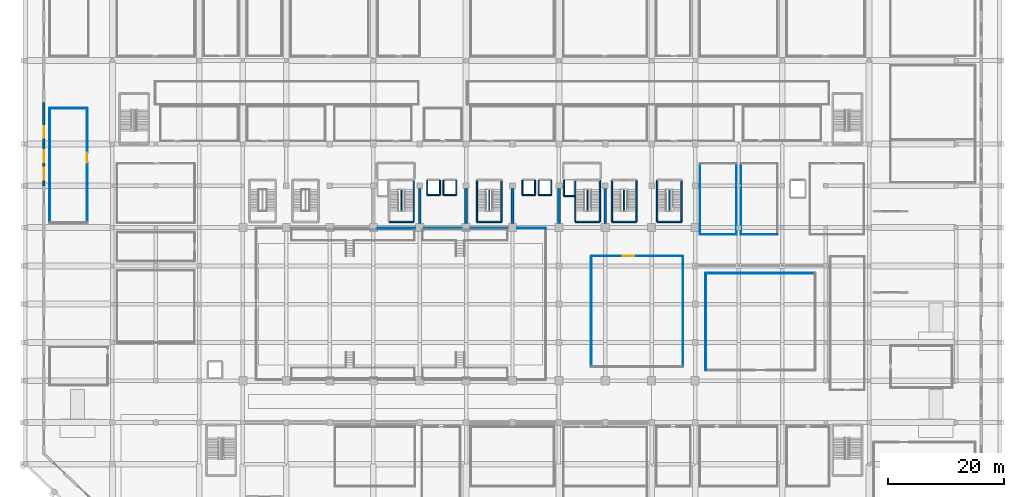
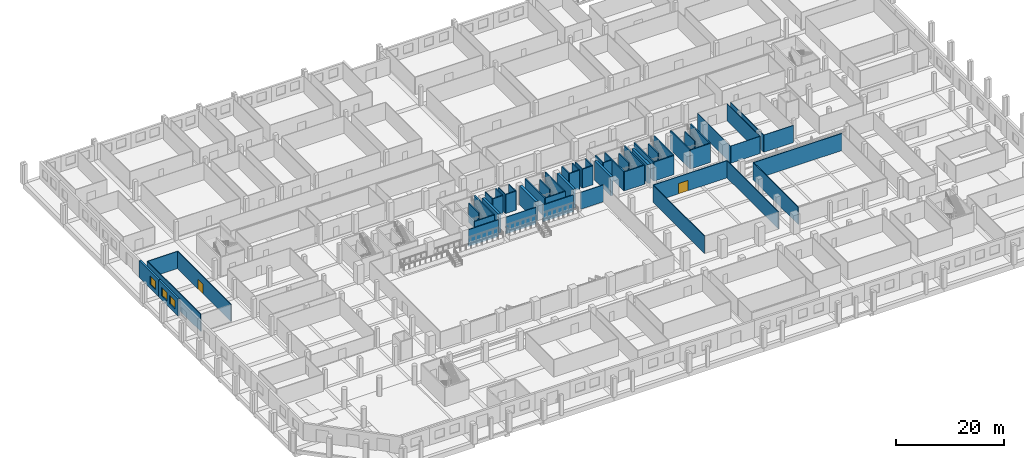
# One storey, part 15 of 33: 57 walls, 3 windows, 2 doors, 5 openings.
"""IFC4 building model written with IfcOpenShell, lengths in metres."""

from ifc_helpers import new_model, si_unit, direction, frame, frame_2d, origin, place, context, subcontext, project, spatial, rectangle, extrude, material, layer, layer_set, type_object, element, fill, save


model = new_model("IFC4")

# Units and contexts
model_context = context("Model", 3, precision=1e-05, world=origin(), true_north=direction((0.0, 1.0)))
body_context = subcontext(model_context, "Body", "Model", "MODEL_VIEW")
ifc_project = project(units=[si_unit("LENGTHUNIT", "METRE"), si_unit("AREAUNIT", "SQUARE_METRE"), si_unit("VOLUMEUNIT", "CUBIC_METRE"), si_unit("PLANEANGLEUNIT", "RADIAN"), si_unit("MASSUNIT", "GRAM", prefix="KILO")], contexts=[model_context])

# Site, building, storey
site_placement = place(None, origin())
site = spatial("IfcSite", under=ifc_project, at=site_placement, CompositionType="ELEMENT")
building_placement = place(site_placement, origin())
building = spatial("IfcBuilding", under=site, at=building_placement, Name="Akrevak Sports Hall", CompositionType="ELEMENT")
storey_placement = place(building_placement, origin())
storey = spatial("IfcBuildingStorey", under=building, at=storey_placement, Name="L00", CompositionType="ELEMENT", Elevation=0.0)

# Wall, openings, windows
ifc_material_1 = material(Name="Limestone Ashlar", Category="stone")
ifc_layer_1 = layer(ifc_material_1, 0.090087890625, Name="Limestone Ashlar")
ifc_material_2 = material(Name="Mineral Wool Thermal Insulation", Category="insulation")
ifc_layer_2 = layer(ifc_material_2, 0.110107421875, Name="Mineral Wool Thermal Insulation")
ifc_material_3 = material(Name="Concrete C40/50", Category="concrete")
ifc_layer_3 = layer(ifc_material_3, 0.219970703125, Name="Concrete C40/50")
ifc_layer_set_1 = layer_set([ifc_layer_1, ifc_layer_2, ifc_layer_3], Name="Limestone Ashlar / Mineral Wool Thermal Insulation / Concrete C40/50")
wall_type_1 = type_object("IfcWallType", Name="ARC-WL-EXT-420", PredefinedType="SOLIDWALL", material=ifc_layer_set_1)
wall_1_placement = place(storey_placement, frame((3.199951171875, 69.60009765625, 0.0), z_axis=(0.0, 0.0, 1.0), x_axis=(0.0, -1.0, 0.0)))
wall_1 = element("IfcWall", 1, at=wall_1_placement, inside=storey, type_object=wall_type_1, Name="West Boulevard Arcade Limestone Wall L00-W08", PredefinedType="SOLIDWALL", context=body_context, shape_type="SweptSolid", body=[
    extrude(rectangle(XDim=7.2001953125, YDim=0.419921875, at=frame_2d((3.60009765625, 0.0))), origin(), (0.0, 0.0, 1.0), 3.820068359375),
])
opening_1_placement = place(wall_1_placement, frame((4.112060546875, 0.0, 0.919921875)))
opening_1 = element("IfcOpeningElement", 2, at=opening_1_placement, cuts=wall_1, Name="Opening WN-28", PredefinedType="OPENING", context=body_context, shape_type="SweptSolid", body=[
    extrude(rectangle(XDim=2.0, YDim=1.889892578125, at=frame_2d((1.0, 0.94482421875))), frame((0.0, 0.221923828125, 0.0), z_axis=(0.0, -1.0, 0.0), x_axis=(1.0, 0.0, 0.0)), (0.0, 0.0, 1.0), 0.44384765625),
])
opening_2_placement = place(wall_1_placement, frame((1.087890625, 0.0, 0.919921875)))
opening_2 = element("IfcOpeningElement", 3, at=opening_2_placement, cuts=wall_1, Name="Opening WN-28", PredefinedType="OPENING", context=body_context, shape_type="SweptSolid", body=[
    extrude(rectangle(XDim=2.0, YDim=1.889892578125, at=frame_2d((1.0, 0.94482421875))), frame((0.0, 0.221923828125, 0.0), z_axis=(0.0, -1.0, 0.0), x_axis=(1.0, 0.0, 0.0)), (0.0, 0.0, 1.0), 0.44384765625),
])
ifc_material_4 = material(Name="Thermally Broken Bronze Frame & Double Low-E Glass", Category="glass")
window_type = type_object("IfcWindowType", Name="ARC-WIN-SZ-2000x1890", PartitioningType="SINGLE_PANEL", PredefinedType="WINDOW", material=ifc_material_4)
window_1_placement = place(opening_1_placement, origin())
window_1 = element("IfcWindow", 4, at=window_1_placement, inside=storey, type_object=window_type, Name="Beaux-Arts Facade Window WIN-L00-W08-1", OverallHeight=1.889892578125, OverallWidth=2.0, PartitioningType="SINGLE_PANEL", PredefinedType="WINDOW", context=body_context, shape_type="SweptSolid", body=[
    extrude(rectangle(XDim=2.0, YDim=1.889892578125, at=frame_2d((1.0, 0.94482421875))), frame((0.0, 0.030029296875, 0.0), z_axis=(0.0, -1.0, 0.0), x_axis=(1.0, 0.0, 0.0)), (0.0, 0.0, 1.0), 0.06005859375),
])
fill(opening_1, window_1)
window_2_placement = place(opening_2_placement, origin())
window_2 = element("IfcWindow", 5, at=window_2_placement, inside=storey, type_object=window_type, Name="Beaux-Arts Facade Window WIN-L00-W08-2", OverallHeight=1.889892578125, OverallWidth=2.0, PartitioningType="SINGLE_PANEL", PredefinedType="WINDOW", context=body_context, shape_type="SweptSolid", body=[
    extrude(rectangle(XDim=2.0, YDim=1.889892578125, at=frame_2d((1.0, 0.94482421875))), frame((0.0, 0.030029296875, 0.0), z_axis=(0.0, -1.0, 0.0), x_axis=(1.0, 0.0, 0.0)), (0.0, 0.0, 1.0), 0.06005859375),
])
fill(opening_2, window_2)

# Wall, opening, window
wall_2_placement = place(storey_placement, frame((3.199951171875, 76.800048828125, 0.0), z_axis=(0.0, 0.0, 1.0), x_axis=(0.0, -1.0, 0.0)))
wall_2 = element("IfcWall", 6, at=wall_2_placement, inside=storey, type_object=wall_type_1, Name="West Boulevard Arcade Limestone Wall L00-W09", PredefinedType="SOLIDWALL", context=body_context, shape_type="SweptSolid", body=[
    extrude(rectangle(XDim=7.199951171875, YDim=0.419921875, at=frame_2d((3.60009765625, 0.0))), origin(), (0.0, 0.0, 1.0), 3.820068359375),
])
opening_3_placement = place(wall_2_placement, frame((4.112060546875, 0.0, 0.919921875)))
opening_3 = element("IfcOpeningElement", 7, at=opening_3_placement, cuts=wall_2, Name="Opening WN-28", PredefinedType="OPENING", context=body_context, shape_type="SweptSolid", body=[
    extrude(rectangle(XDim=2.0, YDim=1.889892578125, at=frame_2d((1.0, 0.94482421875))), frame((0.0, 0.221923828125, 0.0), z_axis=(0.0, -1.0, 0.0), x_axis=(1.0, 0.0, 0.0)), (0.0, 0.0, 1.0), 0.44384765625),
])
window_3_placement = place(opening_3_placement, origin())
window_3 = element("IfcWindow", 8, at=window_3_placement, inside=storey, type_object=window_type, Name="Beaux-Arts Facade Window WIN-L00-W09-1", OverallHeight=1.889892578125, OverallWidth=2.0, PartitioningType="SINGLE_PANEL", PredefinedType="WINDOW", context=body_context, shape_type="SweptSolid", body=[
    extrude(rectangle(XDim=2.0, YDim=1.889892578125, at=frame_2d((1.0, 0.94482421875))), frame((0.0, 0.030029296875, 0.0), z_axis=(0.0, -1.0, 0.0), x_axis=(1.0, 0.0, 0.0)), (0.0, 0.0, 1.0), 0.06005859375),
])
fill(opening_3, window_3)

# Walls
ifc_material_5 = material(Name="Sanitary Cubicle Partition", Category="gypsum")
ifc_layer_4 = layer(ifc_material_5, 0.10009765625, Name="Sanitary Cubicle Partition")
ifc_layer_set_2 = layer_set([ifc_layer_4], Name="Sanitary Cubicle Partition")
wall_type_2 = type_object("IfcWallType", Name="ARC-WL-PRT-100", PredefinedType="PARTITIONING", material=ifc_layer_set_2)
wall_3_placement = place(storey_placement, frame((116.300048828125, 54.0, 0.0), z_axis=(0.0, 0.0, 1.0), x_axis=(1.0, 0.0, 0.0)))
element("IfcWall", 9, at=wall_3_placement, inside=storey, type_object=wall_type_2, Name="Interior Partition Handball Gear Storage L00 (S)", PredefinedType="PARTITIONING", context=body_context, shape_type="SweptSolid", body=[
    extrude(rectangle(XDim=6.300048828125, YDim=0.10009765625, at=frame_2d((3.14990234375, 0.0))), origin(), (0.0, 0.0, 1.0), 3.8798828125),
])
for number, where, z_axis, x_axis, name in (
    (10, (116.300048828125, 54.0, 0.0), (0.0, 0.0, 1.0), (0.0, 1.0, 0.0), "Interior Partition Handball Gear Storage L00 (W)"),
    (11, (122.60009765625, 54.0, 0.0), (0.0, 0.0, 1.0), (0.0, 1.0, 0.0), "Interior Partition Handball Gear Storage L00 (E)"),
):
    element("IfcWall", number, at=place(storey_placement, frame(where, z_axis=z_axis, x_axis=x_axis)), inside=storey, type_object=wall_type_2, Name=name, PredefinedType="PARTITIONING", context=body_context, shape_type="SweptSolid", body=[
        extrude(rectangle(XDim=12.25, YDim=0.10009765625, at=frame_2d((6.125, 0.0))), origin(), (0.0, 0.0, 1.0), 3.8798828125),
    ])
ifc_material_6 = material(Name="Lightweight Office Partition", Category="gypsum")
ifc_layer_5 = layer(ifc_material_6, 0.110107421875, Name="Lightweight Office Partition")
ifc_layer_set_3 = layer_set([ifc_layer_5], Name="Lightweight Office Partition")
wall_type_3 = type_object("IfcWallType", Name="ARC-WL-PRT-110", PredefinedType="PARTITIONING", material=ifc_layer_set_3)
wall_4_placement = place(storey_placement, frame((123.39990234375, 54.0, 0.0), z_axis=(0.0, 0.0, 1.0), x_axis=(1.0, 0.0, 0.0)))
element("IfcWall", 12, at=wall_4_placement, inside=storey, type_object=wall_type_3, Name="Interior Partition Climbing Rigging & Mat Storage L00 (S)", PredefinedType="PARTITIONING", context=body_context, shape_type="SweptSolid", body=[
    extrude(rectangle(XDim=6.300048828125, YDim=0.110107421875, at=frame_2d((3.14990234375, 0.0))), origin(), (0.0, 0.0, 1.0), 3.8798828125),
])
wall_5_placement = place(storey_placement, frame((123.39990234375, 54.0, 0.0), z_axis=(0.0, 0.0, 1.0), x_axis=(0.0, 1.0, 0.0)))
element("IfcWall", 13, at=wall_5_placement, inside=storey, type_object=wall_type_3, Name="Interior Partition Climbing Rigging & Mat Storage L00 (W)", PredefinedType="PARTITIONING", context=body_context, shape_type="SweptSolid", body=[
    extrude(rectangle(XDim=12.25, YDim=0.110107421875, at=frame_2d((6.125, 0.0))), origin(), (0.0, 0.0, 1.0), 3.8798828125),
])
ifc_material_7 = material(Name="Double Stud Fireboard Partition", Category="gypsum")
ifc_layer_6 = layer(ifc_material_7, 0.1650390625, Name="Double Stud Fireboard Partition")
ifc_layer_set_4 = layer_set([ifc_layer_6], Name="Double Stud Fireboard Partition")
wall_type_4 = type_object("IfcWallType", Name="ARC-WL-PRT-165", PredefinedType="PARTITIONING", material=ifc_layer_set_4)
for number, where, z_axis, x_axis, name in (
    (14, (60.780029296875, 55.050048828125, 0.0), (0.0, 0.0, 1.0), (1.0, 0.0, 0.0), "Interior Partition Sports Hall 1 - Handball Court (N) Segment 4"),
    (15, (68.780029296875, 55.050048828125, 0.0), (0.0, 0.0, 1.0), (1.0, 0.0, 0.0), "Interior Partition Sports Hall 1 - Handball Court (N) Segment 5"),
    (16, (76.780029296875, 55.050048828125, 0.0), (0.0, 0.0, 1.0), (1.0, 0.0, 0.0), "Interior Partition Sports Hall 1 - Handball Court (N) Segment 6"),
):
    element("IfcWall", number, at=place(storey_placement, frame(where, z_axis=z_axis, x_axis=x_axis)), inside=storey, type_object=wall_type_4, Name=name, PredefinedType="PARTITIONING", context=body_context, shape_type="SweptSolid", body=[
        extrude(rectangle(XDim=6.43994140625, YDim=0.1650390625, at=frame_2d((3.219970703125, 0.0))), origin(), (0.0, 0.0, 1.0), 3.800048828125),
    ])
wall_6_placement = place(storey_placement, frame((84.780029296875, 55.050048828125, 0.0), z_axis=(0.0, 0.0, 1.0), x_axis=(1.0, 0.0, 0.0)))
element("IfcWall", 17, at=wall_6_placement, inside=storey, type_object=wall_type_4, Name="Interior Partition Sports Hall 1 - Handball Court (N) Segment 7", PredefinedType="PARTITIONING", context=body_context, shape_type="SweptSolid", body=[
    extrude(rectangle(XDim=4.919921875, YDim=0.1650390625, at=frame_2d((2.4599609375, 0.0))), origin(), (0.0, 0.0, 1.0), 3.800048828125),
])
wall_7_placement = place(storey_placement, frame((117.300048828125, 47.300048828125, 0.0), z_axis=(0.0, 0.0, 1.0), x_axis=(1.0, 0.0, 0.0)))
element("IfcWall", 18, at=wall_7_placement, inside=storey, type_object=wall_type_4, Name="Interior Partition Climbing Wall Hall (N)", PredefinedType="PARTITIONING", context=body_context, shape_type="SweptSolid", body=[
    extrude(rectangle(XDim=18.89990234375, YDim=0.1650390625, at=frame_2d((9.449951171875, 0.0))), origin(), (0.0, 0.0, 1.0), 3.8798828125),
])
wall_8_placement = place(storey_placement, frame((117.300048828125, 30.60009765625, 0.0), z_axis=(0.0, 0.0, 1.0), x_axis=(0.0, 1.0, 0.0)))
element("IfcWall", 19, at=wall_8_placement, inside=storey, type_object=wall_type_4, Name="Interior Partition Climbing Wall Hall (W)", PredefinedType="PARTITIONING", context=body_context, shape_type="SweptSolid", body=[
    extrude(rectangle(XDim=16.699951171875, YDim=0.1650390625, at=frame_2d((8.35009765625, 0.0))), origin(), (0.0, 0.0, 1.0), 3.8798828125),
])

# Wall, opening, door
wall_9_placement = place(storey_placement, frame((97.60009765625, 50.300048828125, 0.0), z_axis=(0.0, 0.0, 1.0), x_axis=(1.0, 0.0, 0.0)))
wall_9 = element("IfcWall", 20, at=wall_9_placement, inside=storey, type_object=wall_type_4, Name="Interior Partition Climbing Bouldering Warm-Up Zone (N)", PredefinedType="PARTITIONING", context=body_context, shape_type="SweptSolid", body=[
    extrude(rectangle(XDim=15.7998046875, YDim=0.1650390625, at=frame_2d((7.89990234375, 0.0))), origin(), (0.0, 0.0, 1.0), 3.8798828125),
])
opening_4_placement = place(wall_9_placement, frame((5.39990234375, 0.0, 0.0)))
opening_4 = element("IfcOpeningElement", 21, at=opening_4_placement, cuts=wall_9, Name="Opening ID-01", PredefinedType="OPENING", context=body_context, shape_type="SweptSolid", body=[
    extrude(rectangle(XDim=2.0, YDim=2.35009765625, at=frame_2d((1.0, 1.175048828125))), frame((0.0, 0.094482421875, 0.0), z_axis=(0.0, -1.0, 0.0), x_axis=(1.0, 0.0, 0.0)), (0.0, 0.0, 1.0), 0.18896484375),
])
ifc_material_8 = material(Name="Hardwood Oak & Safety Glass", Category="wood")
door_type_1 = type_object("IfcDoorType", Name="ARC-DR-HALL-200x235", OperationType="DOUBLE_DOOR_SINGLE_SWING", PredefinedType="DOOR", material=ifc_material_8)
door_1_placement = place(opening_4_placement, origin())
door_1 = element("IfcDoor", 22, at=door_1_placement, inside=storey, type_object=door_type_1, Name="Door to Climbing Bouldering Warm-Up Zone", OperationType="DOUBLE_DOOR_SINGLE_SWING", OverallHeight=2.35009765625, OverallWidth=2.0, PredefinedType="DOOR", context=body_context, shape_type="SweptSolid", body=[
    extrude(rectangle(XDim=2.0, YDim=2.35009765625, at=frame_2d((1.0, 1.175048828125))), frame((0.0, 0.02490234375, 0.0), z_axis=(0.0, -1.0, 0.0), x_axis=(1.0, 0.0, 0.0)), (0.0, 0.0, 1.0), 0.050048828125),
])
fill(opening_4, door_1)

# Walls
for number, where, z_axis, x_axis, name in (
    (23, (97.60009765625, 31.199951171875, 0.0), (0.0, 0.0, 1.0), (0.0, 1.0, 0.0), "Interior Partition Climbing Bouldering Warm-Up Zone (W)"),
    (24, (113.39990234375, 31.199951171875, 0.0), (0.0, 0.0, 1.0), (0.0, 1.0, 0.0), "Interior Partition Climbing Bouldering Warm-Up Zone (E)"),
):
    element("IfcWall", number, at=place(storey_placement, frame(where, z_axis=z_axis, x_axis=x_axis)), inside=storey, type_object=wall_type_4, Name=name, PredefinedType="PARTITIONING", context=body_context, shape_type="SweptSolid", body=[
        extrude(rectangle(XDim=19.10009765625, YDim=0.1650390625, at=frame_2d((9.550048828125, 0.0))), origin(), (0.0, 0.0, 1.0), 3.8798828125),
    ])
wall_10_placement = place(storey_placement, frame((4.199951171875, 75.800048828125, 0.0), z_axis=(0.0, 0.0, 1.0), x_axis=(1.0, 0.0, 0.0)))
element("IfcWall", 25, at=wall_10_placement, inside=storey, type_object=wall_type_4, Name="Interior Partition West Boulevard Conditioning Studio L00 (N)", PredefinedType="PARTITIONING", context=body_context, shape_type="SweptSolid", body=[
    extrude(rectangle(XDim=6.449951171875, YDim=0.1650390625, at=frame_2d((3.22509765625, 0.0))), origin(), (0.0, 0.0, 1.0), 3.8798828125),
])
wall_11_placement = place(storey_placement, frame((4.199951171875, 56.0, 0.0), z_axis=(0.0, 0.0, 1.0), x_axis=(0.0, 1.0, 0.0)))
element("IfcWall", 26, at=wall_11_placement, inside=storey, type_object=wall_type_4, Name="Interior Partition West Boulevard Conditioning Studio L00 (W)", PredefinedType="PARTITIONING", context=body_context, shape_type="SweptSolid", body=[
    extrude(rectangle(XDim=19.800048828125, YDim=0.1650390625, at=frame_2d((9.89990234375, 0.0))), origin(), (0.0, 0.0, 1.0), 3.8798828125),
])

# Wall, opening, door
wall_12_placement = place(storey_placement, frame((10.64990234375, 56.0, 0.0), z_axis=(0.0, 0.0, 1.0), x_axis=(0.0, 1.0, 0.0)))
wall_12 = element("IfcWall", 27, at=wall_12_placement, inside=storey, type_object=wall_type_4, Name="Interior Partition West Boulevard Conditioning Studio L00 (E)", PredefinedType="PARTITIONING", context=body_context, shape_type="SweptSolid", body=[
    extrude(rectangle(XDim=19.800048828125, YDim=0.1650390625, at=frame_2d((9.89990234375, 0.0))), origin(), (0.0, 0.0, 1.0), 3.8798828125),
])
opening_5_placement = place(wall_12_placement, frame((10.35009765625, 0.0, 0.0)))
opening_5 = element("IfcOpeningElement", 28, at=opening_5_placement, cuts=wall_12, Name="Opening ID-02", PredefinedType="OPENING", context=body_context, shape_type="SweptSolid", body=[
    extrude(rectangle(XDim=1.800048828125, YDim=2.25, at=frame_2d((0.89990234375, 1.125))), frame((0.0, 0.094482421875, 0.0), z_axis=(0.0, -1.0, 0.0), x_axis=(1.0, 0.0, 0.0)), (0.0, 0.0, 1.0), 0.18896484375),
])
door_type_2 = type_object("IfcDoorType", Name="ARC-DR-HALL-180x225", OperationType="DOUBLE_DOOR_SINGLE_SWING", PredefinedType="DOOR", material=ifc_material_8)
door_2_placement = place(opening_5_placement, frame((1.800048828125, 0.0, 0.0), z_axis=(0.0, 0.0, 1.0), x_axis=(-1.0, 0.0, 0.0)))
door_2 = element("IfcDoor", 29, at=door_2_placement, inside=storey, type_object=door_type_2, Name="Door to West Boulevard Conditioning Studio L00", OperationType="DOUBLE_DOOR_SINGLE_SWING", OverallHeight=2.25, OverallWidth=1.800048828125, PredefinedType="DOOR", context=body_context, shape_type="SweptSolid", body=[
    extrude(rectangle(XDim=1.800048828125, YDim=2.25, at=frame_2d((0.89990234375, 1.125))), frame((0.0, 0.02490234375, 0.0), z_axis=(0.0, -1.0, 0.0), x_axis=(1.0, 0.0, 0.0)), (0.0, 0.0, 1.0), 0.050048828125),
])
fill(opening_5, door_2)

# Walls
ifc_layer_7 = layer(ifc_material_3, 0.219970703125, Name="Concrete C40/50")
ifc_layer_set_5 = layer_set([ifc_layer_7], Name="Concrete C40/50")
wall_type_5 = type_object("IfcWallType", Name="ARC-WL-PRT-220", PredefinedType="PARTITIONING", material=ifc_layer_set_5)
for number, where, z_axis, x_axis, name in (
    (30, (64.85009765625, 58.094970703125, 0.0), (0.0, 0.0, 1.0), (0.0, 1.0, 0.0), "Stair ST1 Central Spine Wall (L00)"),
    (31, (96.949951171875, 58.094970703125, 0.0), (0.0, 0.0, 1.0), (0.0, 1.0, 0.0), "Stair ST2 Central Spine Wall (L00)"),
    (32, (80.0, 58.094970703125, 0.0), (0.0, 0.0, 1.0), (0.0, 1.0, 0.0), "Stair ST3 Central Spine Wall (L00)"),
    (33, (103.25, 58.094970703125, 0.0), (0.0, 0.0, 1.0), (0.0, 1.0, 0.0), "Stair ST10 Central Spine Wall (L00)"),
    (34, (111.050048828125, 58.094970703125, 0.0), (0.0, 0.0, 1.0), (0.0, 1.0, 0.0), "Stair ST11 Central Spine Wall (L00)"),
):
    element("IfcWall", number, at=place(storey_placement, frame(where, z_axis=z_axis, x_axis=x_axis)), inside=storey, type_object=wall_type_5, Name=name, PredefinedType="PARTITIONING", context=body_context, shape_type="SweptSolid", body=[
        extrude(rectangle(XDim=3.64013671875, YDim=0.219970703125, at=frame_2d((1.820068359375, 0.0))), origin(), (0.0, 0.0, 1.0), 4.300048828125),
    ])
ifc_material_9 = material(Name="Concrete C50/60", Category="concrete")
ifc_layer_8 = layer(ifc_material_9, 0.219970703125, Name="Concrete C50/60")
ifc_layer_set_6 = layer_set([ifc_layer_8], Name="Concrete C50/60")
wall_type_6 = type_object("IfcWallType", Name="ARC-WL-SHAFT-220", PredefinedType="SHEAR", material=ifc_layer_set_6)
wall_13_placement = place(storey_placement, frame((92.860107421875, 60.659912109375, 0.0), z_axis=(0.0, 0.0, 1.0), x_axis=(1.0, 0.0, 0.0)))
element("IfcWall", 35, at=wall_13_placement, inside=storey, type_object=wall_type_6, Name="Lift Shaft LF-FF2 Wall S (L00)", PredefinedType="SHEAR", context=body_context, shape_type="SweptSolid", body=[
    extrude(rectangle(XDim=1.83984375, YDim=0.219970703125, at=frame_2d((0.919921875, 0.0))), origin(), (0.0, 0.0, 1.0), 4.300048828125),
])
wall_14_placement = place(storey_placement, frame((92.860107421875, 63.389892578125, 0.0), z_axis=(0.0, 0.0, 1.0), x_axis=(0.0, -1.0, 0.0)))
element("IfcWall", 36, at=wall_14_placement, inside=storey, type_object=wall_type_6, Name="Lift Shaft LF-FF2 Wall W (L00)", PredefinedType="SHEAR", context=body_context, shape_type="SweptSolid", body=[
    extrude(rectangle(XDim=2.72998046875, YDim=0.219970703125, at=frame_2d((1.364990234375, 0.0))), origin(), (0.0, 0.0, 1.0), 4.300048828125),
])
wall_15_placement = place(storey_placement, frame((69.31005859375, 60.81005859375, 0.0), z_axis=(0.0, 0.0, 1.0), x_axis=(1.0, 0.0, 0.0)))
element("IfcWall", 37, at=wall_15_placement, inside=storey, type_object=wall_type_6, Name="Lift Shaft LF-P1 Wall S (L00)", PredefinedType="SHEAR", context=body_context, shape_type="SweptSolid", body=[
    extrude(rectangle(XDim=2.179931640625, YDim=0.219970703125, at=frame_2d((1.08984375, 0.0))), origin(), (0.0, 0.0, 1.0), 4.300048828125),
])
for number, where, z_axis, x_axis, name in (
    (38, (69.31005859375, 63.389892578125, 0.0), (0.0, 0.0, 1.0), (0.0, -1.0, 0.0), "Lift Shaft LF-P1 Wall W (L00)"),
    (39, (71.489990234375, 60.81005859375, 0.0), (0.0, 0.0, 1.0), (0.0, 1.0, 0.0), "Lift Shaft LF-P1 Wall E (L00)"),
):
    element("IfcWall", number, at=place(storey_placement, frame(where, z_axis=z_axis, x_axis=x_axis)), inside=storey, type_object=wall_type_6, Name=name, PredefinedType="SHEAR", context=body_context, shape_type="SweptSolid", body=[
        extrude(rectangle(XDim=2.579833984375, YDim=0.219970703125, at=frame_2d((1.2900390625, 0.0))), origin(), (0.0, 0.0, 1.0), 4.300048828125),
    ])
wall_16_placement = place(storey_placement, frame((72.110107421875, 60.81005859375, 0.0), z_axis=(0.0, 0.0, 1.0), x_axis=(1.0, 0.0, 0.0)))
element("IfcWall", 40, at=wall_16_placement, inside=storey, type_object=wall_type_6, Name="Lift Shaft LF-P2 Wall S (L00)", PredefinedType="SHEAR", context=body_context, shape_type="SweptSolid", body=[
    extrude(rectangle(XDim=2.179931640625, YDim=0.219970703125, at=frame_2d((1.08984375, 0.0))), origin(), (0.0, 0.0, 1.0), 4.300048828125),
])
for number, where, z_axis, x_axis, name in (
    (41, (72.110107421875, 63.389892578125, 0.0), (0.0, 0.0, 1.0), (0.0, -1.0, 0.0), "Lift Shaft LF-P2 Wall W (L00)"),
    (42, (74.2900390625, 60.81005859375, 0.0), (0.0, 0.0, 1.0), (0.0, 1.0, 0.0), "Lift Shaft LF-P2 Wall E (L00)"),
):
    element("IfcWall", number, at=place(storey_placement, frame(where, z_axis=z_axis, x_axis=x_axis)), inside=storey, type_object=wall_type_6, Name=name, PredefinedType="SHEAR", context=body_context, shape_type="SweptSolid", body=[
        extrude(rectangle(XDim=2.579833984375, YDim=0.219970703125, at=frame_2d((1.2900390625, 0.0))), origin(), (0.0, 0.0, 1.0), 4.300048828125),
    ])
wall_17_placement = place(storey_placement, frame((85.7099609375, 60.81005859375, 0.0), z_axis=(0.0, 0.0, 1.0), x_axis=(1.0, 0.0, 0.0)))
element("IfcWall", 43, at=wall_17_placement, inside=storey, type_object=wall_type_6, Name="Lift Shaft LF-P3 Wall S (L00)", PredefinedType="SHEAR", context=body_context, shape_type="SweptSolid", body=[
    extrude(rectangle(XDim=2.179931640625, YDim=0.219970703125, at=frame_2d((1.08984375, 0.0))), origin(), (0.0, 0.0, 1.0), 4.300048828125),
])
for number, where, z_axis, x_axis, name in (
    (44, (85.7099609375, 63.389892578125, 0.0), (0.0, 0.0, 1.0), (0.0, -1.0, 0.0), "Lift Shaft LF-P3 Wall W (L00)"),
    (45, (87.889892578125, 60.81005859375, 0.0), (0.0, 0.0, 1.0), (0.0, 1.0, 0.0), "Lift Shaft LF-P3 Wall E (L00)"),
):
    element("IfcWall", number, at=place(storey_placement, frame(where, z_axis=z_axis, x_axis=x_axis)), inside=storey, type_object=wall_type_6, Name=name, PredefinedType="SHEAR", context=body_context, shape_type="SweptSolid", body=[
        extrude(rectangle(XDim=2.579833984375, YDim=0.219970703125, at=frame_2d((1.2900390625, 0.0))), origin(), (0.0, 0.0, 1.0), 4.300048828125),
    ])
wall_18_placement = place(storey_placement, frame((88.510009765625, 60.81005859375, 0.0), z_axis=(0.0, 0.0, 1.0), x_axis=(1.0, 0.0, 0.0)))
element("IfcWall", 46, at=wall_18_placement, inside=storey, type_object=wall_type_6, Name="Lift Shaft LF-P4 Wall S (L00)", PredefinedType="SHEAR", context=body_context, shape_type="SweptSolid", body=[
    extrude(rectangle(XDim=2.179931640625, YDim=0.219970703125, at=frame_2d((1.08984375, 0.0))), origin(), (0.0, 0.0, 1.0), 4.300048828125),
])
for number, where, z_axis, x_axis, name in (
    (47, (88.510009765625, 63.389892578125, 0.0), (0.0, 0.0, 1.0), (0.0, -1.0, 0.0), "Lift Shaft LF-P4 Wall W (L00)"),
    (48, (90.68994140625, 60.81005859375, 0.0), (0.0, 0.0, 1.0), (0.0, 1.0, 0.0), "Lift Shaft LF-P4 Wall E (L00)"),
):
    element("IfcWall", number, at=place(storey_placement, frame(where, z_axis=z_axis, x_axis=x_axis)), inside=storey, type_object=wall_type_6, Name=name, PredefinedType="SHEAR", context=body_context, shape_type="SweptSolid", body=[
        extrude(rectangle(XDim=2.579833984375, YDim=0.219970703125, at=frame_2d((1.2900390625, 0.0))), origin(), (0.0, 0.0, 1.0), 4.300048828125),
    ])
ifc_layer_9 = layer(ifc_material_9, 0.5, Name="Concrete C50/60")
ifc_layer_set_7 = layer_set([ifc_layer_9], Name="Concrete C50/60")
wall_type_7 = type_object("IfcWallType", Name="STR-WL-CORE-500", PredefinedType="SHEAR", material=ifc_layer_set_7)
for number, where, z_axis, x_axis, name in (
    (49, (68.0, 55.89990234375, 0.0), (0.0, 0.0, 1.0), (0.0, 1.0, 0.0), "Reinforced Concrete Shear Wall SW-C1 (L00)"),
    (50, (76.0, 55.89990234375, 0.0), (0.0, 0.0, 1.0), (0.0, 1.0, 0.0), "Reinforced Concrete Shear Wall SW-W1 (L00)"),
    (51, (84.0, 55.89990234375, 0.0), (0.0, 0.0, 1.0), (0.0, 1.0, 0.0), "Reinforced Concrete Shear Wall SW-C2 (L00)"),
    (52, (92.0, 55.89990234375, 0.0), (0.0, 0.0, 1.0), (0.0, 1.0, 0.0), "Reinforced Concrete Shear Wall SW-E1 (L00)"),
    (53, (100.0, 55.89990234375, 0.0), (0.0, 0.0, 1.0), (0.0, 1.0, 0.0), "Reinforced Concrete Shear Wall SW-E2 (L00)"),
):
    element("IfcWall", number, at=place(storey_placement, frame(where, z_axis=z_axis, x_axis=x_axis)), inside=storey, type_object=wall_type_7, Name=name, PredefinedType="SHEAR", context=body_context, shape_type="SweptSolid", body=[
        extrude(rectangle(XDim=6.0, YDim=0.5, at=frame_2d((3.0, 0.0))), origin(), (0.0, 0.0, 1.0), 4.300048828125),
    ])
ifc_layer_10 = layer(ifc_material_9, 0.25, Name="Concrete C50/60")
ifc_layer_set_8 = layer_set([ifc_layer_10], Name="Concrete C50/60")
wall_type_8 = type_object("IfcWallType", Name="STR-WL-STAIR-250", PredefinedType="SHEAR", material=ifc_layer_set_8)
wall_19_placement = place(storey_placement, frame((62.72509765625, 56.175048828125, 0.0), z_axis=(0.0, 0.0, 1.0), x_axis=(1.0, 0.0, 0.0)))
element("IfcWall", 54, at=wall_19_placement, inside=storey, type_object=wall_type_8, Name="Stair Core ST1 Shear Wall S (L00)", PredefinedType="SHEAR", context=body_context, shape_type="SweptSolid", body=[
    extrude(rectangle(XDim=4.25, YDim=0.25, at=frame_2d((2.125, 0.0))), origin(), (0.0, 0.0, 1.0), 4.300048828125),
])
wall_20_placement = place(storey_placement, frame((66.97509765625, 56.175048828125, 0.0), z_axis=(0.0, 0.0, 1.0), x_axis=(0.0, 1.0, 0.0)))
element("IfcWall", 55, at=wall_20_placement, inside=storey, type_object=wall_type_8, Name="Stair Core ST1 Shear Wall E (L00)", PredefinedType="SHEAR", context=body_context, shape_type="SweptSolid", body=[
    extrude(rectangle(XDim=7.199951171875, YDim=0.25, at=frame_2d((3.60009765625, 0.0))), origin(), (0.0, 0.0, 1.0), 4.300048828125),
])
wall_21_placement = place(storey_placement, frame((94.824951171875, 56.175048828125, 0.0), z_axis=(0.0, 0.0, 1.0), x_axis=(1.0, 0.0, 0.0)))
element("IfcWall", 56, at=wall_21_placement, inside=storey, type_object=wall_type_8, Name="Stair Core ST2 Shear Wall S (L00)", PredefinedType="SHEAR", context=body_context, shape_type="SweptSolid", body=[
    extrude(rectangle(XDim=4.25, YDim=0.25, at=frame_2d((2.125, 0.0))), origin(), (0.0, 0.0, 1.0), 4.300048828125),
])
wall_22_placement = place(storey_placement, frame((94.824951171875, 63.25, 0.0), z_axis=(0.0, 0.0, 1.0), x_axis=(0.0, -1.0, 0.0)))
element("IfcWall", 57, at=wall_22_placement, inside=storey, type_object=wall_type_8, Name="Stair Core ST2 Shear Wall W (L00)", PredefinedType="SHEAR", context=body_context, shape_type="SweptSolid", body=[
    extrude(rectangle(XDim=7.074951171875, YDim=0.25, at=frame_2d((3.53759765625, 0.0))), origin(), (0.0, 0.0, 1.0), 4.300048828125),
])
wall_23_placement = place(storey_placement, frame((99.074951171875, 56.175048828125, 0.0), z_axis=(0.0, 0.0, 1.0), x_axis=(0.0, 1.0, 0.0)))
element("IfcWall", 58, at=wall_23_placement, inside=storey, type_object=wall_type_8, Name="Stair Core ST2 Shear Wall E (L00)", PredefinedType="SHEAR", context=body_context, shape_type="SweptSolid", body=[
    extrude(rectangle(XDim=7.199951171875, YDim=0.25, at=frame_2d((3.60009765625, 0.0))), origin(), (0.0, 0.0, 1.0), 4.300048828125),
])
wall_24_placement = place(storey_placement, frame((77.875, 56.175048828125, 0.0), z_axis=(0.0, 0.0, 1.0), x_axis=(1.0, 0.0, 0.0)))
element("IfcWall", 59, at=wall_24_placement, inside=storey, type_object=wall_type_8, Name="Stair Core ST3 Shear Wall S (L00)", PredefinedType="SHEAR", context=body_context, shape_type="SweptSolid", body=[
    extrude(rectangle(XDim=4.25, YDim=0.25, at=frame_2d((2.125, 0.0))), origin(), (0.0, 0.0, 1.0), 4.300048828125),
])
for number, where, z_axis, x_axis, name in (
    (60, (77.875, 63.375, 0.0), (0.0, 0.0, 1.0), (0.0, -1.0, 0.0), "Stair Core ST3 Shear Wall W (L00)"),
    (61, (82.125, 56.175048828125, 0.0), (0.0, 0.0, 1.0), (0.0, 1.0, 0.0), "Stair Core ST3 Shear Wall E (L00)"),
):
    element("IfcWall", number, at=place(storey_placement, frame(where, z_axis=z_axis, x_axis=x_axis)), inside=storey, type_object=wall_type_8, Name=name, PredefinedType="SHEAR", context=body_context, shape_type="SweptSolid", body=[
        extrude(rectangle(XDim=7.199951171875, YDim=0.25, at=frame_2d((3.60009765625, 0.0))), origin(), (0.0, 0.0, 1.0), 4.300048828125),
    ])
wall_25_placement = place(storey_placement, frame((101.125, 56.175048828125, 0.0), z_axis=(0.0, 0.0, 1.0), x_axis=(1.0, 0.0, 0.0)))
element("IfcWall", 62, at=wall_25_placement, inside=storey, type_object=wall_type_8, Name="Stair Core ST10 Shear Wall S (L00)", PredefinedType="SHEAR", context=body_context, shape_type="SweptSolid", body=[
    extrude(rectangle(XDim=4.25, YDim=0.25, at=frame_2d((2.125, 0.0))), origin(), (0.0, 0.0, 1.0), 4.300048828125),
])
for number, where, z_axis, x_axis, name in (
    (63, (101.125, 63.375, 0.0), (0.0, 0.0, 1.0), (0.0, -1.0, 0.0), "Stair Core ST10 Shear Wall W (L00)"),
    (64, (105.375, 56.175048828125, 0.0), (0.0, 0.0, 1.0), (0.0, 1.0, 0.0), "Stair Core ST10 Shear Wall E (L00)"),
):
    element("IfcWall", number, at=place(storey_placement, frame(where, z_axis=z_axis, x_axis=x_axis)), inside=storey, type_object=wall_type_8, Name=name, PredefinedType="SHEAR", context=body_context, shape_type="SweptSolid", body=[
        extrude(rectangle(XDim=7.199951171875, YDim=0.25, at=frame_2d((3.60009765625, 0.0))), origin(), (0.0, 0.0, 1.0), 4.300048828125),
    ])
wall_26_placement = place(storey_placement, frame((108.925048828125, 56.175048828125, 0.0), z_axis=(0.0, 0.0, 1.0), x_axis=(1.0, 0.0, 0.0)))
element("IfcWall", 65, at=wall_26_placement, inside=storey, type_object=wall_type_8, Name="Stair Core ST11 Shear Wall S (L00)", PredefinedType="SHEAR", context=body_context, shape_type="SweptSolid", body=[
    extrude(rectangle(XDim=4.25, YDim=0.25, at=frame_2d((2.125, 0.0))), origin(), (0.0, 0.0, 1.0), 4.300048828125),
])
for number, where, z_axis, x_axis, name in (
    (66, (108.925048828125, 63.375, 0.0), (0.0, 0.0, 1.0), (0.0, -1.0, 0.0), "Stair Core ST11 Shear Wall W (L00)"),
    (67, (113.175048828125, 56.175048828125, 0.0), (0.0, 0.0, 1.0), (0.0, 1.0, 0.0), "Stair Core ST11 Shear Wall E (L00)"),
):
    element("IfcWall", number, at=place(storey_placement, frame(where, z_axis=z_axis, x_axis=x_axis)), inside=storey, type_object=wall_type_8, Name=name, PredefinedType="SHEAR", context=body_context, shape_type="SweptSolid", body=[
        extrude(rectangle(XDim=7.199951171875, YDim=0.25, at=frame_2d((3.60009765625, 0.0))), origin(), (0.0, 0.0, 1.0), 4.300048828125),
    ])

save(model, "model.ifc")
